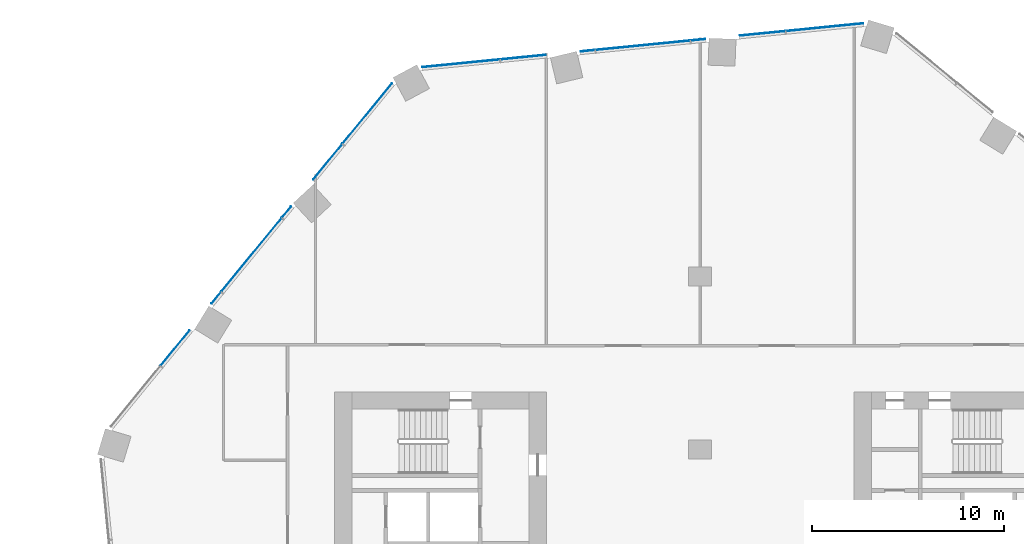
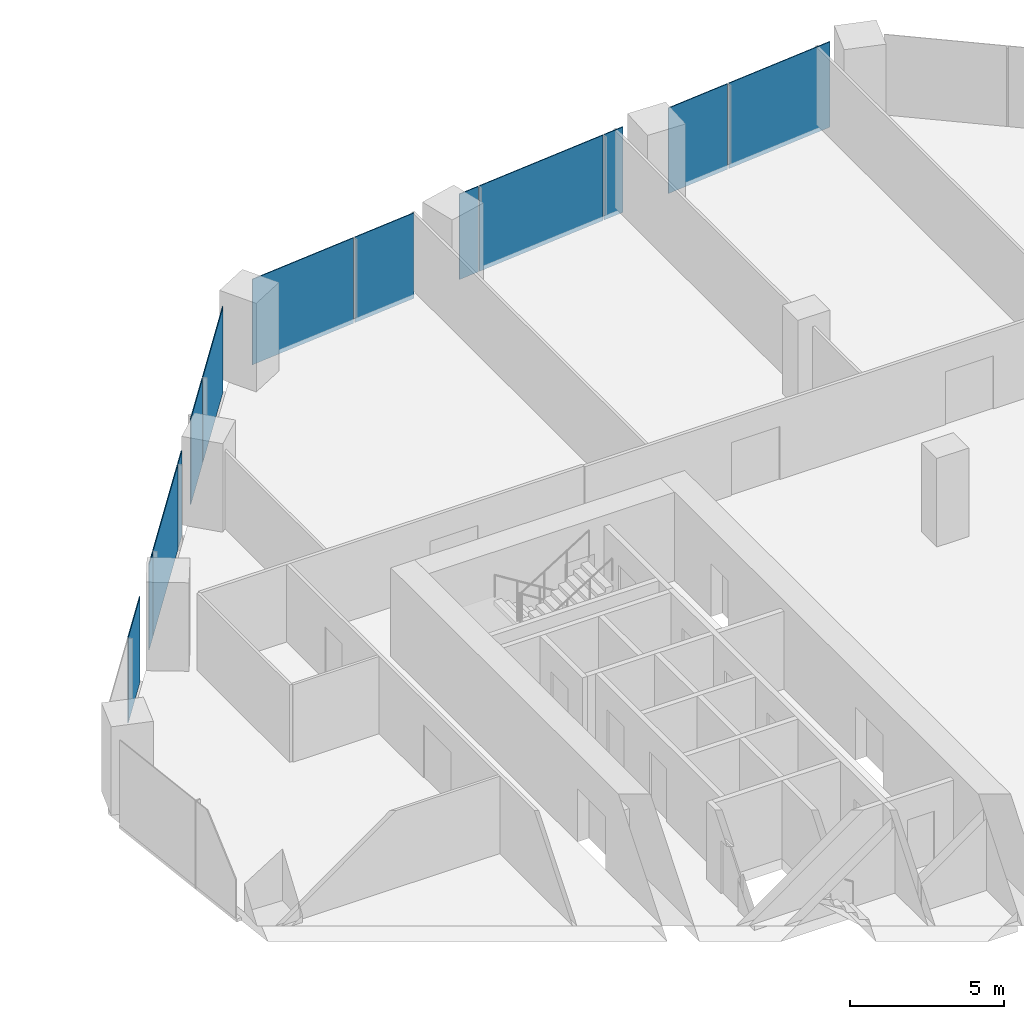
# One storey, part 25 of 34: 13 plates, 2 elements without a shape of their own.
"""IFC4 building model written with IfcOpenShell, lengths in metres."""

from ifc_helpers import new_model, si_unit, direction, frame, origin, origin_2d, place, context, subcontext, project, spatial, rectangle, extrude, material, layer, layer_set, type_object, element, aggregate, save


model = new_model("IFC4")

# Units and contexts
model_context = context("Model", 3, precision=1e-05, world=origin(), true_north=direction((0.0, 1.0)))
body_context = subcontext(model_context, "Body", "Model", "MODEL_VIEW")
ifc_project = project(units=[si_unit("LENGTHUNIT", "METRE"), si_unit("AREAUNIT", "SQUARE_METRE"), si_unit("VOLUMEUNIT", "CUBIC_METRE"), si_unit("PLANEANGLEUNIT", "RADIAN"), si_unit("MASSUNIT", "GRAM", prefix="KILO")], contexts=[model_context])

# Site, building, storey
site_placement = place(None, origin())
site = spatial("IfcSite", under=ifc_project, at=site_placement, CompositionType="ELEMENT")
building_placement = place(site_placement, origin())
building = spatial("IfcBuilding", under=site, at=building_placement, Name="Orlundy Tower", CompositionType="ELEMENT")
storey_placement = place(building_placement, frame((0.0, 0.0, 40.800048828125)))
storey = spatial("IfcBuildingStorey", under=building, at=storey_placement, Name="L08", CompositionType="ELEMENT", Elevation=40.800048828125)

# Curtain wall, plates
ifc_material_1 = material(Name="Aluminium bronze anodised", Category="aluminium")
curtain_wall_type = type_object("IfcCurtainWallType", Name="CW1 wall", PredefinedType="NOTDEFINED", material=ifc_material_1)
curtain_wall_1_placement = place(storey_placement, origin())
curtain_wall_1 = element("IfcCurtainWall", 1, at=curtain_wall_1_placement, inside=storey, type_object=curtain_wall_type, Name="CW1 run 02", PredefinedType="NOTDEFINED")
ifc_material_2 = material(Name="Tinted glass", Category="glass")
ifc_layer = layer(ifc_material_2, 0.031982421875)
ifc_layer_set = layer_set([ifc_layer], Name="CW1 glass panel 32")
plate_type = type_object("IfcPlateType", Name="CW1 glass panel 32", PredefinedType="CURTAIN_PANEL", material=ifc_layer_set)
plate_1_placement = place(storey_placement, frame((-27.29345703125, 14.28271484375, -0.300048828125), z_axis=(0.0, 0.0, 1.0), x_axis=(0.633818264458, 0.773482002143, 0.0)))
plate_1 = element("IfcPlate", 2, at=plate_1_placement, type_object=plate_type, Name="CW1 panel", PredefinedType="CURTAIN_PANEL", context=body_context, shape_type="SweptSolid", body=[
    extrude(rectangle(XDim=2.35791015625, YDim=0.031982421875, at=origin_2d()), origin(), (0.0, 0.0, 1.0), 3.3798828125),
])
plate_2_placement = place(storey_placement, frame((-25.158203125, 16.888427734375, -0.300048828125), z_axis=(0.0, 0.0, 1.0), x_axis=(0.633818264458, 0.773482002143, 0.0)))
plate_2 = element("IfcPlate", 3, at=plate_2_placement, type_object=plate_type, Name="CW1 panel", PredefinedType="CURTAIN_PANEL", context=body_context, shape_type="SweptSolid", body=[
    extrude(rectangle(XDim=0.74560546875, YDim=0.031982421875, at=origin_2d()), origin(), (0.0, 0.0, 1.0), 3.3798828125),
])
plate_3_placement = place(storey_placement, frame((-23.330810546875, 19.118408203125, -0.300048828125), z_axis=(0.0, 0.0, 1.0), x_axis=(0.633818264458, 0.773482002143, 0.0)))
plate_3 = element("IfcPlate", 4, at=plate_3_placement, type_object=plate_type, Name="CW1 panel", PredefinedType="CURTAIN_PANEL", context=body_context, shape_type="SweptSolid", body=[
    extrude(rectangle(XDim=4.92041015625, YDim=0.031982421875, at=origin_2d()), origin(), (0.0, 0.0, 1.0), 3.3798828125),
])
plate_4_placement = place(storey_placement, frame((-21.50341796875, 21.3486328125, -0.300048828125), z_axis=(0.0, 0.0, 1.0), x_axis=(0.633818264458, 0.773482002143, 0.0)))
plate_4 = element("IfcPlate", 5, at=plate_4_placement, type_object=plate_type, Name="CW1 panel", PredefinedType="CURTAIN_PANEL", context=body_context, shape_type="SweptSolid", body=[
    extrude(rectangle(XDim=0.74609375, YDim=0.031982421875, at=origin_2d()), origin(), (0.0, 0.0, 1.0), 3.3798828125),
])
plate_5_placement = place(storey_placement, frame((-19.3681640625, 23.954345703125, -0.300048828125), z_axis=(0.0, 0.0, 1.0), x_axis=(0.633818264458, 0.773482002143, 0.0)))
plate_5 = element("IfcPlate", 6, at=plate_5_placement, type_object=plate_type, Name="CW1 panel", PredefinedType="CURTAIN_PANEL", context=body_context, shape_type="SweptSolid", body=[
    extrude(rectangle(XDim=2.357421875, YDim=0.031982421875, at=origin_2d()), origin(), (0.0, 0.0, 1.0), 3.3798828125),
])
plate_6_placement = place(storey_placement, frame((-17.30908203125, 26.467041015625, -0.300048828125), z_axis=(0.0, 0.0, 1.0), x_axis=(0.633818264458, 0.773482002143, 0.0)))
plate_6 = element("IfcPlate", 7, at=plate_6_placement, type_object=plate_type, Name="CW1 panel", PredefinedType="CURTAIN_PANEL", context=body_context, shape_type="SweptSolid", body=[
    extrude(rectangle(XDim=4.0400390625, YDim=0.031982421875, at=origin_2d()), origin(), (0.0, 0.0, 1.0), 3.3798828125),
])
aggregate(curtain_wall_1, [plate_1, plate_2, plate_3, plate_4, plate_5, plate_6])

curtain_wall_2_placement = place(storey_placement, origin())
curtain_wall_2 = element("IfcCurtainWall", 8, at=curtain_wall_2_placement, inside=storey, type_object=curtain_wall_type, Name="CW1 run 03", PredefinedType="NOTDEFINED")
plate_7_placement = place(storey_placement, frame((-12.432373046875, 29.078125, -0.300048828125), z_axis=(0.0, 0.0, 1.0), x_axis=(0.995112991912, 0.098742763424, 0.0)))
plate_7 = element("IfcPlate", 9, at=plate_7_placement, type_object=plate_type, Name="CW1 panel", PredefinedType="CURTAIN_PANEL", context=body_context, shape_type="SweptSolid", body=[
    extrude(rectangle(XDim=4.03857421875, YDim=0.031982421875, at=origin_2d()), origin(), (0.0, 0.0, 1.0), 3.3798828125),
])
plate_8_placement = place(storey_placement, frame((-9.19970703125, 29.39892578125, -0.300048828125), z_axis=(0.0, 0.0, 1.0), x_axis=(0.995112991912, 0.098742763424, 0.0)))
plate_8 = element("IfcPlate", 10, at=plate_8_placement, type_object=plate_type, Name="CW1 panel", PredefinedType="CURTAIN_PANEL", context=body_context, shape_type="SweptSolid", body=[
    extrude(rectangle(XDim=2.3583984375, YDim=0.031982421875, at=origin_2d()), origin(), (0.0, 0.0, 1.0), 3.3798828125),
])
plate_9_placement = place(storey_placement, frame((-5.847412109375, 29.7314453125, -0.300048828125), z_axis=(0.0, 0.0, 1.0), x_axis=(0.995112991912, 0.098742763424, 0.0)))
plate_9 = element("IfcPlate", 11, at=plate_9_placement, type_object=plate_type, Name="CW1 panel", PredefinedType="CURTAIN_PANEL", context=body_context, shape_type="SweptSolid", body=[
    extrude(rectangle(XDim=0.7451171875, YDim=0.031982421875, at=origin_2d()), origin(), (0.0, 0.0, 1.0), 3.3798828125),
])
plate_10_placement = place(storey_placement, frame((-2.978759765625, 30.01611328125, -0.300048828125), z_axis=(0.0, 0.0, 1.0), x_axis=(0.995112991912, 0.098742763424, 0.0)))
plate_10 = element("IfcPlate", 12, at=plate_10_placement, type_object=plate_type, Name="CW1 panel", PredefinedType="CURTAIN_PANEL", context=body_context, shape_type="SweptSolid", body=[
    extrude(rectangle(XDim=4.92041015625, YDim=0.031982421875, at=origin_2d()), origin(), (0.0, 0.0, 1.0), 3.3798828125),
])
plate_11_placement = place(storey_placement, frame((-0.109619140625, 30.30078125, -0.300048828125), z_axis=(0.0, 0.0, 1.0), x_axis=(0.995112991912, 0.098742763424, 0.0)))
plate_11 = element("IfcPlate", 13, at=plate_11_placement, type_object=plate_type, Name="CW1 panel", PredefinedType="CURTAIN_PANEL", context=body_context, shape_type="SweptSolid", body=[
    extrude(rectangle(XDim=0.745849609375, YDim=0.031982421875, at=origin_2d()), origin(), (0.0, 0.0, 1.0), 3.3798828125),
])
plate_12_placement = place(storey_placement, frame((3.24267578125, 30.633544921875, -0.300048828125), z_axis=(0.0, 0.0, 1.0), x_axis=(0.995112991912, 0.098742763424, 0.0)))
plate_12 = element("IfcPlate", 14, at=plate_12_placement, type_object=plate_type, Name="CW1 panel", PredefinedType="CURTAIN_PANEL", context=body_context, shape_type="SweptSolid", body=[
    extrude(rectangle(XDim=2.357666015625, YDim=0.031982421875, at=origin_2d()), origin(), (0.0, 0.0, 1.0), 3.3798828125),
])
plate_13_placement = place(storey_placement, frame((6.47509765625, 30.954345703125, -0.300048828125), z_axis=(0.0, 0.0, 1.0), x_axis=(0.995112991912, 0.098742763424, 0.0)))
plate_13 = element("IfcPlate", 15, at=plate_13_placement, type_object=plate_type, Name="CW1 panel", PredefinedType="CURTAIN_PANEL", context=body_context, shape_type="SweptSolid", body=[
    extrude(rectangle(XDim=4.0390625, YDim=0.031982421875, at=origin_2d()), origin(), (0.0, 0.0, 1.0), 3.3798828125),
])
aggregate(curtain_wall_2, [plate_7, plate_8, plate_9, plate_10, plate_11, plate_12, plate_13])

save(model, "model.ifc")
